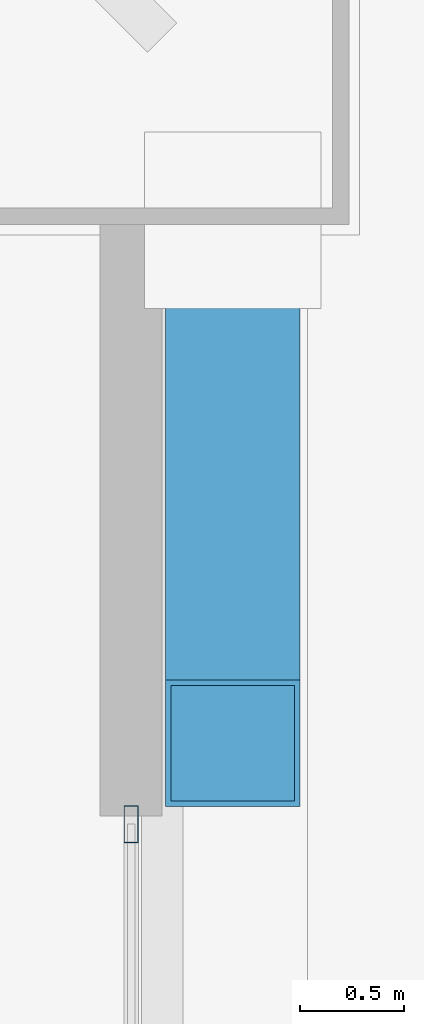
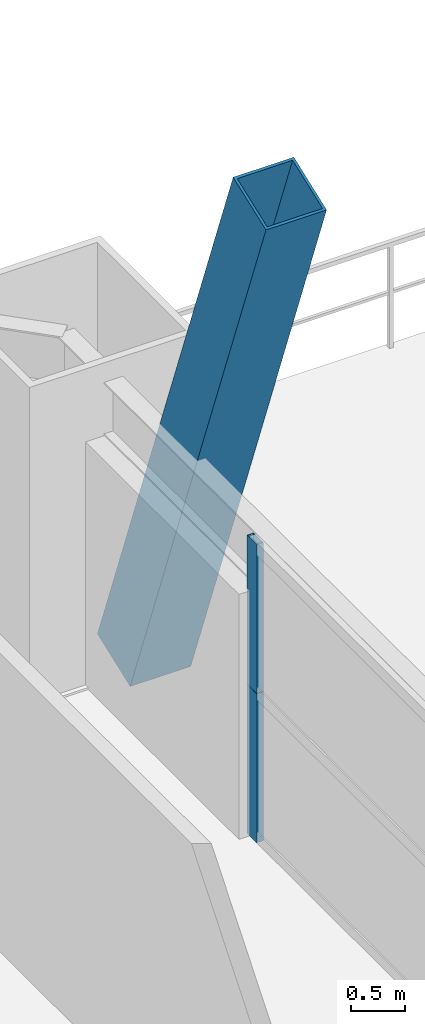
# One storey, part 33 of 45: 3 members, 1 element without a shape of its own.
"""IFC4 building model written with IfcOpenShell, lengths in metres."""

from ifc_helpers import new_model, si_unit, direction, frame, origin, origin_2d, place, context, subcontext, project, spatial, hollow_rectangle, extrude, source, transform, mapped, material, layer, layer_set, material_profile, profile_set, type_object, element, aggregate, save


model = new_model("IFC4")

# Units and contexts
model_context = context("Model", 3, precision=1e-05, world=origin(), true_north=direction((0.0, 1.0)))
body_context = subcontext(model_context, "Body", "Model", "MODEL_VIEW")
ifc_project = project(units=[si_unit("LENGTHUNIT", "METRE"), si_unit("AREAUNIT", "SQUARE_METRE"), si_unit("VOLUMEUNIT", "CUBIC_METRE"), si_unit("PLANEANGLEUNIT", "RADIAN"), si_unit("MASSUNIT", "GRAM", prefix="KILO"), si_unit("THERMODYNAMICTEMPERATUREUNIT", "KELVIN"), si_unit("POWERUNIT", "WATT")], contexts=[model_context])

# Site, building, storey
site_placement = place(None, origin())
site = spatial("IfcSite", under=ifc_project, at=site_placement, CompositionType="ELEMENT")
building_placement = place(site_placement, origin())
building = spatial("IfcBuilding", under=site, at=building_placement, Name="Yuzanri Waterfront Tower", CompositionType="ELEMENT")
storey_placement = place(building_placement, frame((0.0, 0.0, 30.60009765625)))
storey = spatial("IfcBuildingStorey", under=building, at=storey_placement, Name="L07", CompositionType="ELEMENT", Elevation=30.60009765625)

# Member
ifc_material_1 = material(Name="Steel Q420GJC", Category="steel")
ifc_material_profile_1 = material_profile(ifc_material_1, hollow_rectangle(XDim=0.64990234375, YDim=0.64990234375, WallThickness=0.028076171875, at=origin_2d()), Name="RHS 650x650x28")
ifc_profile_set_1 = profile_set([ifc_material_profile_1], Name="Steel Q420GJC")
member_type_1 = type_object("IfcMemberType", Name="Mega Brace Lower Q420GJC RHS 650x650x28", PredefinedType="BRACE", material=ifc_profile_set_1)
shared_shape_1 = source(origin(), body_context, "Body", "SweptSolid", [
    extrude(hollow_rectangle(XDim=0.64990234375, YDim=0.64990234375, WallThickness=0.028076171875, at=origin_2d()), origin(), (0.0, 0.0, 1.0), 7.158203125),
])
member_1_placement = place(storey_placement, frame((62.43994140625, 46.419921875, 0.179931640625), z_axis=(0.0, -0.352046480343, 0.935982518896), x_axis=(1.0, 0.0, 0.0)))
element("IfcMember", 1, at=member_1_placement, inside=storey, type_object=member_type_1, Name="L07-L08 Perimeter Mega-Brace E-R", PredefinedType="BRACE", context=body_context, shape_type="MappedRepresentation", body=[
    mapped(shared_shape_1, transform((0.0, 0.0, 0.0), scale=1.0)),
])

# Curtain wall, members
ifc_material_2 = material(Name="Anodized Architectural Bronze", Category="metal")
ifc_layer = layer(ifc_material_2, 0.159912109375)
ifc_layer_set = layer_set([ifc_layer], Name="Anodized Architectural Bronze")
curtain_wall_type = type_object("IfcCurtainWallType", Name="Anodized Bronze Hotel Lower-Tier Recessed Unitized Curtain Wall 8100", PredefinedType="NOTDEFINED", material=ifc_layer_set)
curtain_wall_placement = place(storey_placement, origin())
curtain_wall = element("IfcCurtainWall", 2, at=curtain_wall_placement, inside=storey, type_object=curtain_wall_type, Name="L07 Curtain Wall CW-L07-ER", PredefinedType="NOTDEFINED")
ifc_material_3 = material(Name="Anodized Architectural Bronze", Category="metal")
ifc_material_profile_2 = material_profile(ifc_material_3, hollow_rectangle(XDim=0.070068359375, YDim=0.179931640625, WallThickness=0.00390625, at=origin_2d()), Name="CWM 70x180")
ifc_profile_set_2 = profile_set([ifc_material_profile_2], Name="Anodized Architectural Bronze")
member_type_2 = type_object("IfcMemberType", Name="Anodized Bronze Standard Curtain-Wall Mullion 70x180", PredefinedType="MULLION", material=ifc_profile_set_2)
shared_shape_2 = source(origin(), body_context, "Body", "SweptSolid", [
    extrude(hollow_rectangle(XDim=0.070068359375, YDim=0.179931640625, WallThickness=0.00390625, at=origin_2d()), origin(), (0.0, 0.0, 1.0), 1.68798828125),
])
member_2_placement = place(storey_placement, frame((61.949951171875, 43.510009765625, 0.0), z_axis=(0.0, 0.0, 1.0), x_axis=(1.0, 0.0, 0.0)))
member_2 = element("IfcMember", 3, at=member_2_placement, type_object=member_type_2, Name="CW-L07-ER Lower Mullion 02", PredefinedType="MULLION", context=body_context, shape_type="MappedRepresentation", body=[
    mapped(shared_shape_2, transform((0.0, 0.0, 0.0), scale=1.0)),
])
member_3_placement = place(storey_placement, frame((61.949951171875, 43.510009765625, 1.69189453125), z_axis=(0.0, 0.0, 1.0), x_axis=(1.0, 0.0, 0.0)))
member_3 = element("IfcMember", 4, at=member_3_placement, type_object=member_type_2, Name="CW-L07-ER Upper Mullion 02", PredefinedType="MULLION", context=body_context, shape_type="MappedRepresentation", body=[
    mapped(shared_shape_2, transform((0.0, 0.0, 0.0), scale=1.0)),
])
aggregate(curtain_wall, [member_2, member_3])

save(model, "model.ifc")
